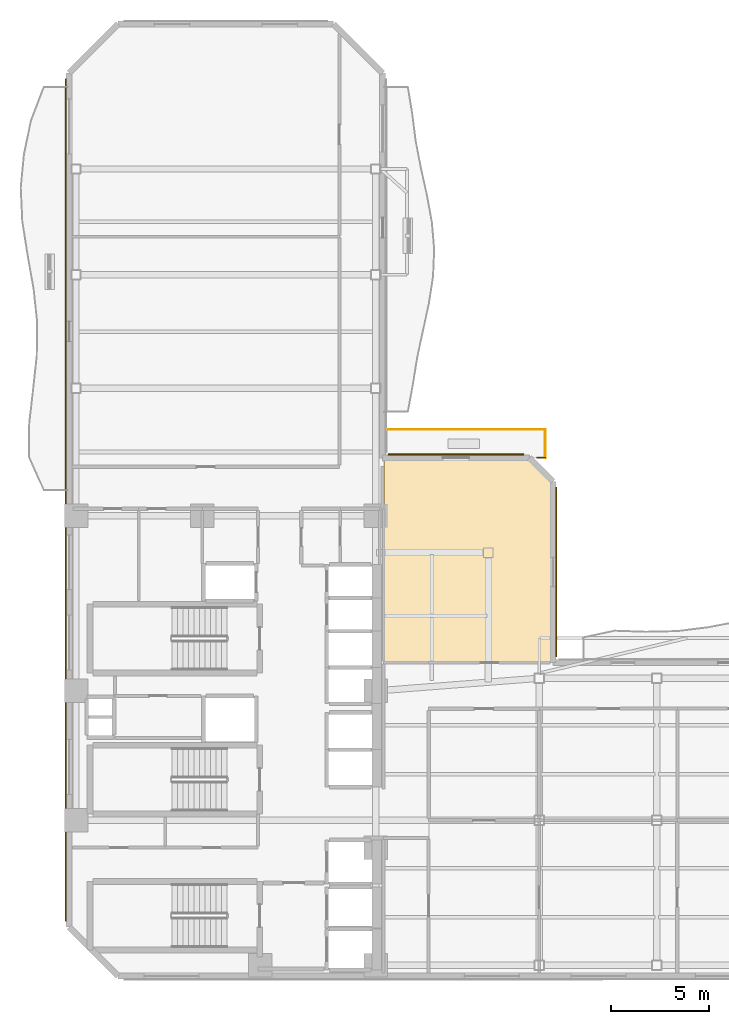
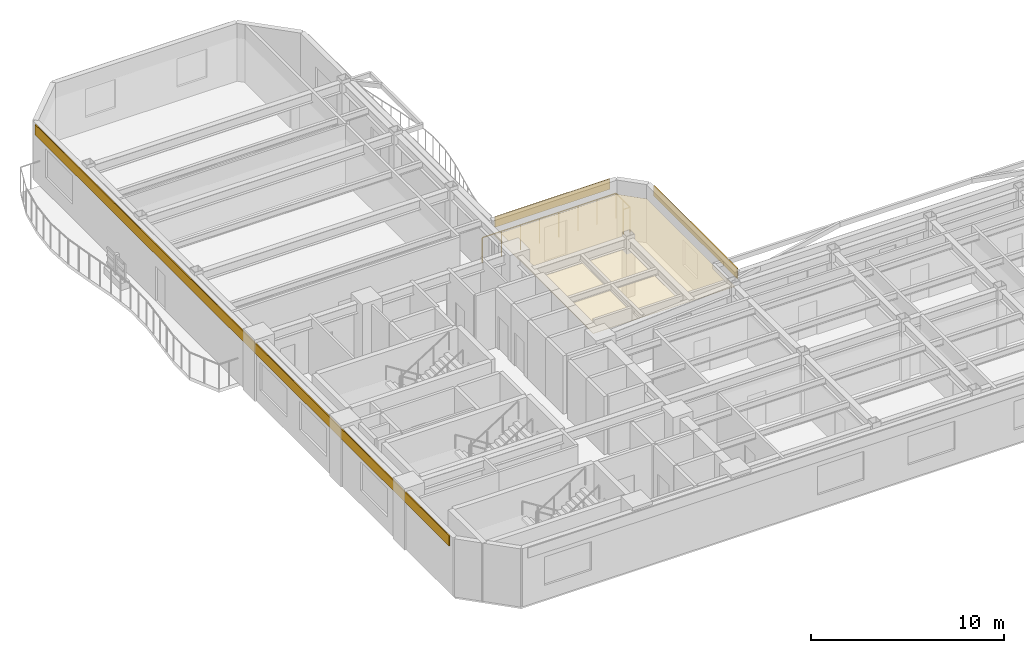
# One storey, part 10 of 12: 4 coverings, 3 railings.
"""IFC4 building model written with IfcOpenShell, lengths in metres."""

from ifc_helpers import new_model, si_unit, direction, frame, origin, origin_2d, place, context, subcontext, project, spatial, polyline, rectangle, outline, extrude, material, layer, layer_set, type_object, element, save


model = new_model("IFC4")

# Units and contexts
model_context = context("Model", 3, precision=1e-05, world=origin(), true_north=direction((0.0, 1.0)))
body_context = subcontext(model_context, "Body", "Model", "MODEL_VIEW")
ifc_project = project(units=[si_unit("LENGTHUNIT", "METRE"), si_unit("AREAUNIT", "SQUARE_METRE"), si_unit("VOLUMEUNIT", "CUBIC_METRE"), si_unit("PLANEANGLEUNIT", "RADIAN"), si_unit("MASSUNIT", "GRAM", prefix="KILO")], contexts=[model_context])

# Site, building, storey
site_placement = place(None, origin())
site = spatial("IfcSite", under=ifc_project, at=site_placement, CompositionType="ELEMENT")
building_placement = place(site_placement, origin())
building = spatial("IfcBuilding", under=site, at=building_placement, Name="Mawjaban Terraces University", CompositionType="ELEMENT")
storey_placement = place(building_placement, frame((0.0, 0.0, 134.60009765625)))
storey = spatial("IfcBuildingStorey", under=building, at=storey_placement, Name="L32", CompositionType="ELEMENT", Elevation=134.60009765625)

# Covering
ifc_material_1 = material(Name="Acoustic mineral fibre ceiling tile", Category="masonry")
ifc_layer_1 = layer(ifc_material_1, 0.02001953125)
ifc_layer_set_1 = layer_set([ifc_layer_1], Name="Acoustic mineral fibre ceiling tile")
covering_type_1 = type_object("IfcCoveringType", Name="AcousticMineralCeiling_20", PredefinedType="CEILING", material=ifc_layer_set_1)
covering_1_placement = place(storey_placement, frame((0.0, 0.0, 2.75)))
element("IfcCovering", 1, at=covering_1_placement, inside=storey, type_object=covering_type_1, Name="L32 Terrace Collaborative Study Room Acoustic Ceiling", PredefinedType="CEILING", context=body_context, shape_type="SweptSolid", body=[
    extrude(outline(polyline([(46.583984375, 16.030029296875), (46.583984375, 25.202880859375), (45.451904296875, 26.3349609375), (38.080078125, 26.3349609375), (38.080078125, 16.030029296875), (46.583984375, 16.030029296875)])), origin(), (0.0, 0.0, 1.0), 0.02001953125),
])

# Railings
ifc_material_2 = material(Name="Galvanised powder-coated steel S355", Category="steel")
railing_type = type_object("IfcRailingType", Name="BalconyBalustrade_1600", PredefinedType="BALUSTRADE", material=ifc_material_2)
railing_1_placement = place(storey_placement, frame((45.89501953125, 26.449951171875, 0.0)))
element("IfcRailing", 2, at=railing_1_placement, inside=storey, type_object=railing_type, Name="L32 Terrace Guardrail TER-L32-CLIMB.1", PredefinedType="BALUSTRADE", context=body_context, shape_type="SweptSolid", body=[
    extrude(rectangle(XDim=0.048095703125, YDim=0.048095703125, at=origin_2d()), frame((0.0, 0.0, 1.576171875), z_axis=(1.0, 0.0, 0.0), x_axis=(0.0, 1.0, 0.0)), (0.0, 0.0, 1.0), 0.404052734375),
    extrude(rectangle(XDim=0.0419921875, YDim=0.0419921875, at=origin_2d()), origin(), (0.0, 0.0, 1.0), 1.552001953125),
    extrude(rectangle(XDim=0.0419921875, YDim=0.0419921875, at=origin_2d()), frame((0.404052734375, 0.0, 0.0)), (0.0, 0.0, 1.0), 1.552001953125),
])
railing_2_placement = place(storey_placement, frame((46.299072265625, 26.449951171875, 0.0)))
element("IfcRailing", 3, at=railing_2_placement, inside=storey, type_object=railing_type, Name="L32 Terrace Guardrail TER-L32-CLIMB.2", PredefinedType="BALUSTRADE", context=body_context, shape_type="SweptSolid", body=[
    extrude(rectangle(XDim=0.048095703125, YDim=0.048095703125, at=origin_2d()), frame((0.0, 0.0, 1.576171875), z_axis=(0.0, 1.0, 0.0), x_axis=(-1.0, 0.0, 0.0)), (0.0, 0.0, 1.0), 1.449951171875),
    extrude(rectangle(XDim=0.0419921875, YDim=0.0419921875, at=origin_2d()), origin(), (0.0, 0.0, 1.0), 1.552001953125),
    extrude(rectangle(XDim=0.0419921875, YDim=0.0419921875, at=origin_2d()), frame((0.0, 0.72509765625, 0.0)), (0.0, 0.0, 1.0), 1.552001953125),
    extrude(rectangle(XDim=0.0419921875, YDim=0.0419921875, at=origin_2d()), frame((0.0, 1.449951171875, 0.0)), (0.0, 0.0, 1.0), 1.552001953125),
])
railing_3_placement = place(storey_placement, frame((46.299072265625, 27.89990234375, 0.0)))
element("IfcRailing", 4, at=railing_3_placement, inside=storey, type_object=railing_type, Name="L32 Terrace Guardrail TER-L32-CLIMB.3", PredefinedType="BALUSTRADE", context=body_context, shape_type="SweptSolid", body=[
    extrude(rectangle(XDim=0.048095703125, YDim=0.048095703125, at=origin_2d()), frame((0.0, 0.0, 1.576171875), z_axis=(-1.0, 0.0, 0.0), x_axis=(0.0, -1.0, 0.0)), (0.0, 0.0, 1.0), 8.01904296875),
    extrude(rectangle(XDim=0.0419921875, YDim=0.0419921875, at=origin_2d()), origin(), (0.0, 0.0, 1.0), 1.552001953125),
    extrude(rectangle(XDim=0.0419921875, YDim=0.0419921875, at=origin_2d()), frame((-1.1455078125, 0.0, 0.0)), (0.0, 0.0, 1.0), 1.552001953125),
    extrude(rectangle(XDim=0.0419921875, YDim=0.0419921875, at=origin_2d()), frame((-2.291259765625, 0.0, 0.0)), (0.0, 0.0, 1.0), 1.552001953125),
    extrude(rectangle(XDim=0.0419921875, YDim=0.0419921875, at=origin_2d()), frame((-3.436767578125, 0.0, 0.0)), (0.0, 0.0, 1.0), 1.552001953125),
    extrude(rectangle(XDim=0.0419921875, YDim=0.0419921875, at=origin_2d()), frame((-4.582275390625, 0.0, 0.0)), (0.0, 0.0, 1.0), 1.552001953125),
    extrude(rectangle(XDim=0.0419921875, YDim=0.0419921875, at=origin_2d()), frame((-5.727783203125, 0.0, 0.0)), (0.0, 0.0, 1.0), 1.552001953125),
    extrude(rectangle(XDim=0.0419921875, YDim=0.0419921875, at=origin_2d()), frame((-6.87353515625, 0.0, 0.0)), (0.0, 0.0, 1.0), 1.552001953125),
    extrude(rectangle(XDim=0.0419921875, YDim=0.0419921875, at=origin_2d()), frame((-8.01904296875, 0.0, 0.0)), (0.0, 0.0, 1.0), 1.552001953125),
])

# Coverings
ifc_material_3 = material(Name="Glazed architectural terracotta rainscreen", Category="masonry")
ifc_layer_2 = layer(ifc_material_3, 0.06005859375)
ifc_layer_set_2 = layer_set([ifc_layer_2], Name="Glazed architectural terracotta rainscreen")
covering_type_2 = type_object("IfcCoveringType", Name="TerracottaSpandrelCladding_60", PredefinedType="CLADDING", material=ifc_layer_set_2)
covering_2_placement = place(storey_placement, frame((46.8740234375, 20.625, 3.014892578125), z_axis=(0.0, 0.0, 1.0), x_axis=(0.0, 1.0, 0.0)))
element("IfcCovering", 5, at=covering_2_placement, inside=storey, type_object=covering_type_2, Name="L32 Terracotta Spandrel Cladding 6", PredefinedType="CLADDING", context=body_context, shape_type="SweptSolid", body=[
    extrude(rectangle(XDim=8.64990234375, YDim=0.06005859375, at=origin_2d()), origin(), (0.0, 0.0, 1.0), 0.64990234375),
])
covering_3_placement = place(storey_placement, frame((41.7490234375, 26.625, 3.014892578125), z_axis=(0.0, 0.0, 1.0), x_axis=(-1.0, 0.0, 0.0)))
element("IfcCovering", 6, at=covering_3_placement, inside=storey, type_object=covering_type_2, Name="L32 Terracotta Spandrel Cladding 8", PredefinedType="CLADDING", context=body_context, shape_type="SweptSolid", body=[
    extrude(rectangle(XDim=6.89892578125, YDim=0.06005859375, at=origin_2d()), origin(), (0.0, 0.0, 1.0), 0.64990234375),
])
covering_4_placement = place(storey_placement, frame((21.824951171875, 24.300048828125, 3.014892578125), z_axis=(0.0, 0.0, 1.0), x_axis=(0.0, -1.0, 0.0)))
element("IfcCovering", 7, at=covering_4_placement, inside=storey, type_object=covering_type_2, Name="L32 Terracotta Spandrel Cladding 13", PredefinedType="CLADDING", context=body_context, shape_type="SweptSolid", body=[
    extrude(rectangle(XDim=43.0, YDim=0.06005859375, at=origin_2d()), origin(), (0.0, 0.0, 1.0), 0.64990234375),
])

save(model, "model.ifc")
